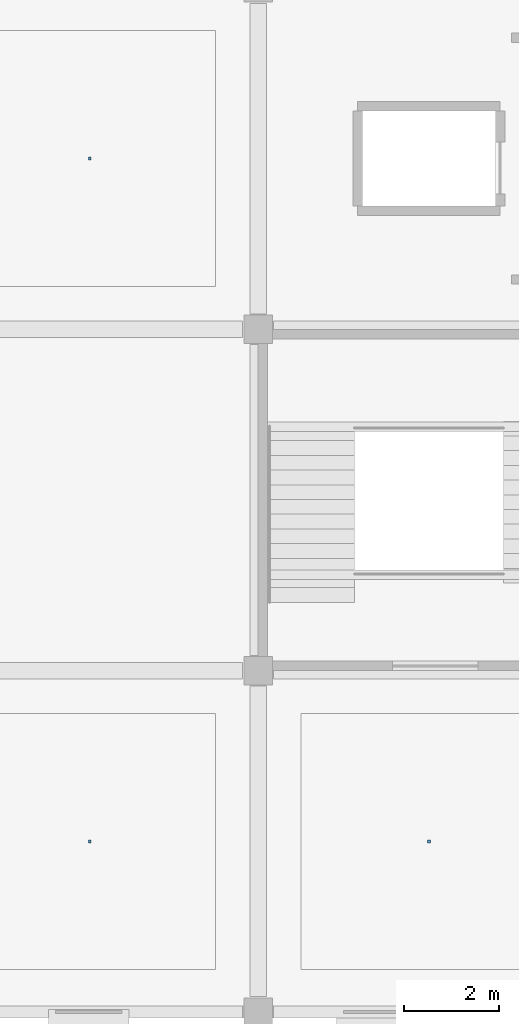
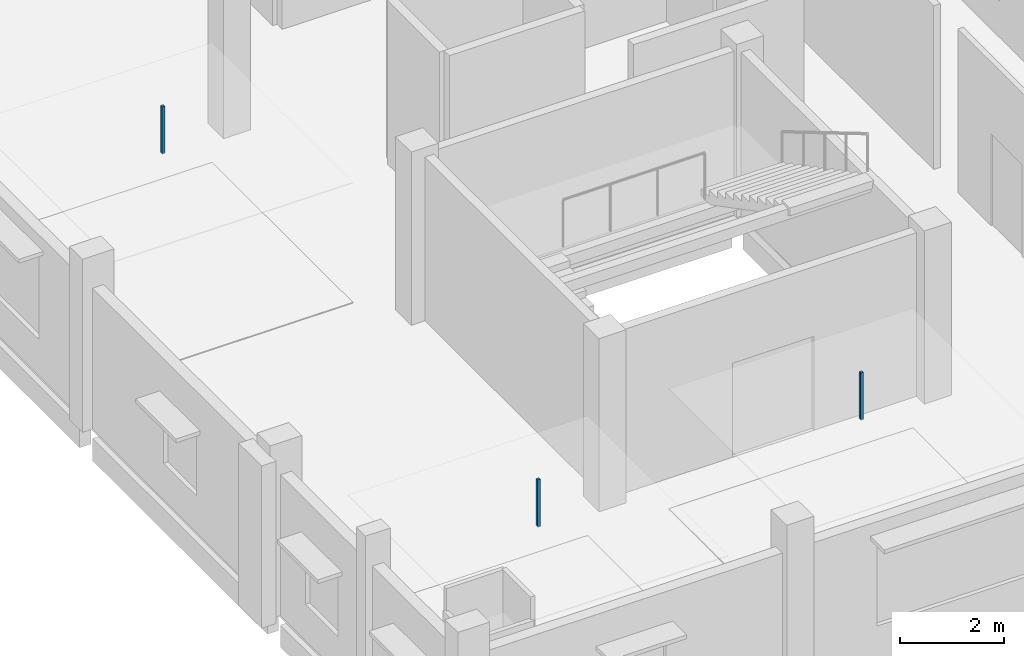
# One storey, part 21 of 26: 3 discrete accessories.
"""IFC4 building model written with IfcOpenShell, lengths in metres."""

from ifc_helpers import new_model, si_unit, direction, frame, origin, origin_2d, place, context, subcontext, project, spatial, rectangle, extrude, material, type_object, element, save


model = new_model("IFC4")

# Units and contexts
model_context = context("Model", 3, precision=1e-05, world=origin(), true_north=direction((0.0, 1.0)))
body_context = subcontext(model_context, "Body", "Model", "MODEL_VIEW")
ifc_project = project(units=[si_unit("LENGTHUNIT", "METRE"), si_unit("AREAUNIT", "SQUARE_METRE"), si_unit("VOLUMEUNIT", "CUBIC_METRE"), si_unit("PLANEANGLEUNIT", "RADIAN"), si_unit("MASSUNIT", "GRAM", prefix="KILO")], contexts=[model_context])

# Site, building, storey
site_placement = place(None, origin())
site = spatial("IfcSite", under=ifc_project, at=site_placement, CompositionType="ELEMENT")
building_placement = place(site_placement, origin())
building = spatial("IfcBuilding", under=site, at=building_placement, Name="Kangsadwip Square Police Headquarters", CompositionType="ELEMENT")
storey_placement = place(building_placement, frame((0.0, 0.0, 25.64990234375)))
storey = spatial("IfcBuildingStorey", under=building, at=storey_placement, Name="L06", CompositionType="ELEMENT", Elevation=25.64990234375)

# Discrete accessories
ifc_material = material(Name="Structural steel IS 2062 E350 (Grade 350, 350 MPa)", Category="steel")
discrete_accessory_type = type_object("IfcDiscreteAccessoryType", Name="VeilOutriggerBracket", PredefinedType="BRACKET", material=ifc_material)
for number, where, z_axis, x_axis, name in (
    (1, (3.64990234375, 39.60009765625, 2.81005859375), (0.0, 0.0, 1.0), (1.0, 0.0, 0.0), "Ceiling Suspension Hanger L06-151"),
    (2, (10.800048828125, 39.60009765625, 2.81005859375), (0.0, 0.0, 1.0), (1.0, 0.0, 0.0), "Ceiling Suspension Hanger L06-152"),
    (3, (3.64990234375, 54.0, 2.81005859375), (0.0, 0.0, 1.0), (1.0, 0.0, 0.0), "Ceiling Suspension Hanger L06-153"),
):
    element("IfcDiscreteAccessory", number, at=place(storey_placement, frame(where, z_axis=z_axis, x_axis=x_axis)), inside=storey, type_object=discrete_accessory_type, Name=name, PredefinedType="BRACKET", context=body_context, shape_type="SweptSolid", body=[
        extrude(rectangle(XDim=0.06005859375, YDim=0.06005859375, at=origin_2d()), origin(), (0.0, 0.0, 1.0), 1.10009765625),
    ])

save(model, "model.ifc")
